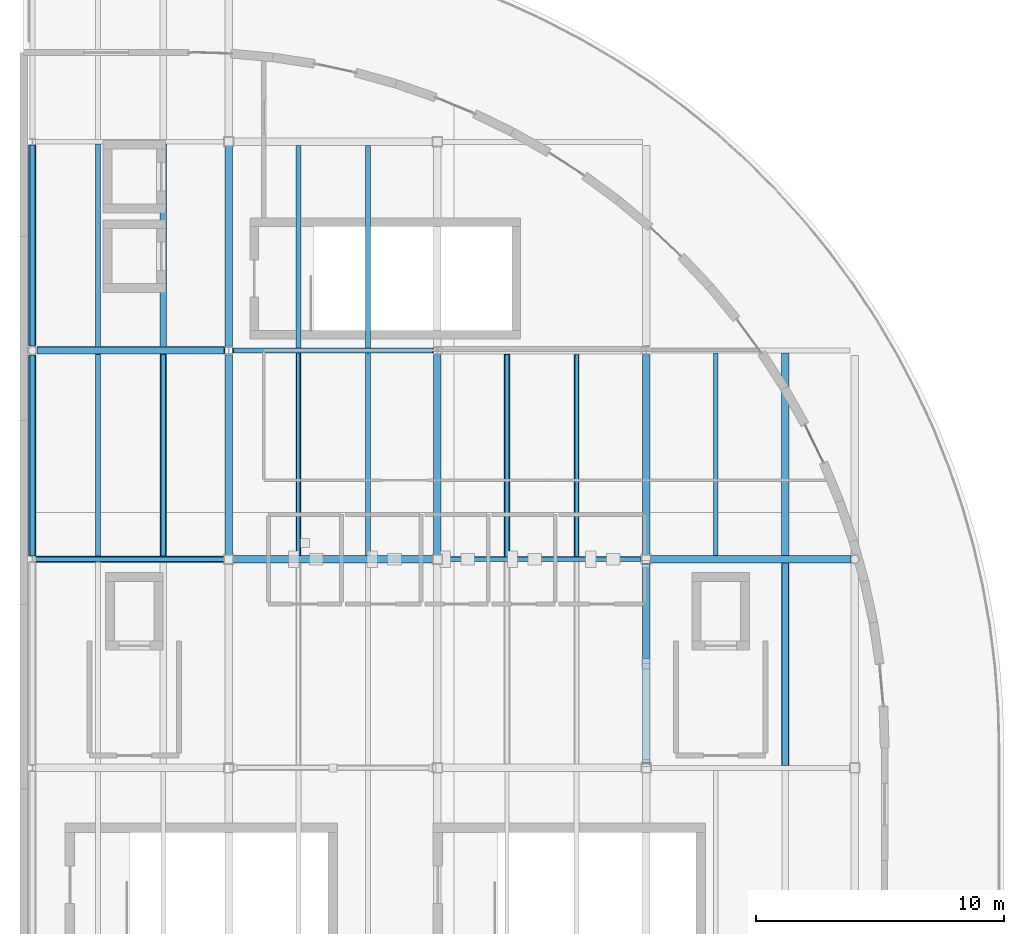
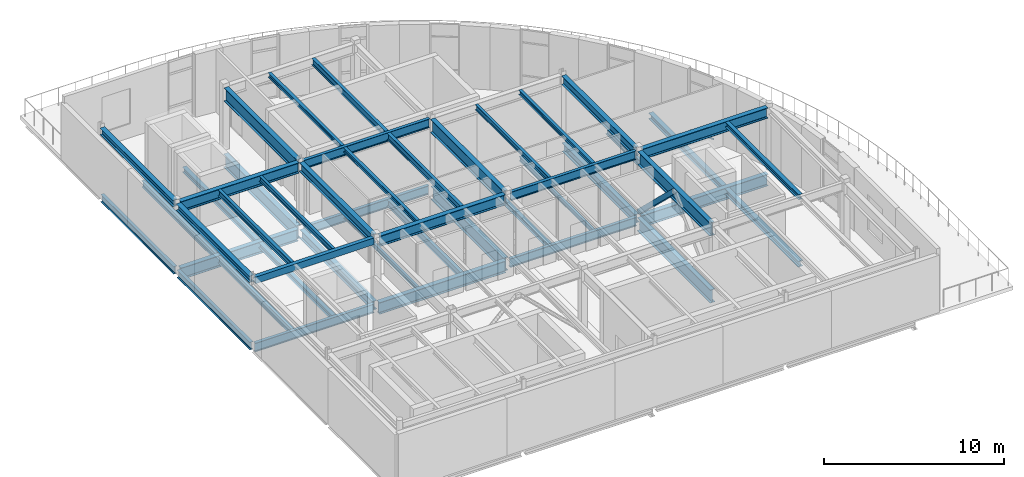
# One storey, part 6 of 26: 46 beams, 2 members, 1 element without a shape of its own.
"""IFC4 building model written with IfcOpenShell, lengths in metres."""

from ifc_helpers import new_model, si_unit, direction, frame, origin, origin_2d, place, context, subcontext, project, spatial, hollow_rectangle, i_section, extrude, material, layer, layer_set, material_profile, profile_set, type_object, element, aggregate, save


model = new_model("IFC4")

# Units and contexts
model_context = context("Model", 3, precision=1e-05, world=origin(), true_north=direction((0.0, 1.0)))
body_context = subcontext(model_context, "Body", "Model", "MODEL_VIEW")
ifc_project = project(units=[si_unit("LENGTHUNIT", "METRE"), si_unit("AREAUNIT", "SQUARE_METRE"), si_unit("VOLUMEUNIT", "CUBIC_METRE"), si_unit("PLANEANGLEUNIT", "RADIAN"), si_unit("MASSUNIT", "GRAM", prefix="KILO"), si_unit("THERMODYNAMICTEMPERATUREUNIT", "KELVIN")], contexts=[model_context])

# Site, building, storey
site_placement = place(None, origin())
site = spatial("IfcSite", under=ifc_project, at=site_placement, CompositionType="ELEMENT")
building_placement = place(site_placement, origin())
building = spatial("IfcBuilding", under=site, at=building_placement, Name="Lustrewick Department Store", CompositionType="ELEMENT")
storey_placement = place(building_placement, frame((0.0, 0.0, 36.300048828125)))
storey = spatial("IfcBuildingStorey", under=building, at=storey_placement, Name="L08", CompositionType="ELEMENT", Elevation=36.300048828125)

# Beams
ifc_material_1 = material(Name="Structural steel Q355B", Category="steel")
ifc_material_profile_1 = material_profile(ifc_material_1, i_section(OverallWidth=0.199951171875, OverallDepth=0.449951171875, WebThickness=0.009033203125, FlangeThickness=0.013916015625, FilletRadius=0.01611328125, at=origin_2d()), Name="HN 450x200x9x14")
ifc_profile_set_1 = profile_set([ifc_material_profile_1], Name="Structural steel Q355B")
beam_type_1 = type_object("IfcBeamType", Name="B03", PredefinedType="JOIST", material=ifc_profile_set_1)
for number, where, z_axis, x_axis, name in (
    (1, (123.199951171875, 67.35009765625, -0.47998046875), (0.0, 1.0, 0.0), (-1.0, 0.0, 0.0), "L08 V4 Secondary Joist B03"),
    (2, (137.199951171875, 67.35009765625, -0.47998046875), (0.0, 1.0, 0.0), (-1.0, 0.0, 0.0), "L08 V4 Secondary Joist B03"),
):
    element("IfcBeam", number, at=place(storey_placement, frame(where, z_axis=z_axis, x_axis=x_axis)), inside=storey, type_object=beam_type_1, Name=name, PredefinedType="JOIST", context=body_context, shape_type="SweptSolid", body=[
        extrude(i_section(OverallWidth=0.199951171875, OverallDepth=0.449951171875, WebThickness=0.009033203125, FlangeThickness=0.013916015625, FilletRadius=0.01611328125, at=origin_2d()), origin(), (0.0, 0.0, 1.0), 8.14990234375),
    ])
ifc_material_profile_2 = material_profile(ifc_material_1, i_section(OverallWidth=0.198974609375, OverallDepth=0.446044921875, WebThickness=0.008056640625, FlangeThickness=0.011962890625, FilletRadius=0.01611328125, at=origin_2d()), Name="HN 446x199x8x12")
ifc_profile_set_2 = profile_set([ifc_material_profile_2], Name="Structural steel Q355B")
beam_type_2 = type_object("IfcBeamType", Name="B04", PredefinedType="JOIST", material=ifc_profile_set_2)
for number, where, z_axis, x_axis, name in (
    (3, (112.333251953125, 67.299560546875, -0.47802734375), (0.0, 1.0, 0.0), (-1.0, 0.0, 0.0), "L08 V4 Secondary Joist B04"),
    (4, (112.333251953125, 75.75, -0.47802734375), (0.0, 1.0, 0.0), (-1.0, 0.0, 0.0), "L08 V4 Secondary Joist B04"),
):
    element("IfcBeam", number, at=place(storey_placement, frame(where, z_axis=z_axis, x_axis=x_axis)), inside=storey, type_object=beam_type_2, Name=name, PredefinedType="JOIST", context=body_context, shape_type="SweptSolid", body=[
        extrude(i_section(OverallWidth=0.198974609375, OverallDepth=0.446044921875, WebThickness=0.008056640625, FlangeThickness=0.011962890625, FilletRadius=0.01611328125, at=origin_2d()), origin(), (0.0, 0.0, 1.0), 8.150390625),
    ])
beam_1_placement = place(storey_placement, frame((123.199951171875, 67.35107421875, 4.02197265625), z_axis=(0.0, 1.0, 0.0), x_axis=(-1.0, 0.0, 0.0)))
element("IfcBeam", 5, at=beam_1_placement, inside=storey, type_object=beam_type_2, Name="L08 V4 Secondary Joist B04", PredefinedType="JOIST", context=body_context, shape_type="SweptSolid", body=[
    extrude(i_section(OverallWidth=0.198974609375, OverallDepth=0.446044921875, WebThickness=0.008056640625, FlangeThickness=0.011962890625, FilletRadius=0.01611328125, at=origin_2d()), origin(), (0.0, 0.0, 1.0), 8.1494140625),
])
beam_2_placement = place(storey_placement, frame((123.199951171875, 75.699462890625, 4.02197265625), z_axis=(0.0, 1.0, 0.0), x_axis=(-1.0, 0.0, 0.0)))
element("IfcBeam", 6, at=beam_2_placement, inside=storey, type_object=beam_type_2, Name="L08 V4 Secondary Joist B04", PredefinedType="JOIST", context=body_context, shape_type="SweptSolid", body=[
    extrude(i_section(OverallWidth=0.198974609375, OverallDepth=0.446044921875, WebThickness=0.008056640625, FlangeThickness=0.011962890625, FilletRadius=0.01611328125, at=origin_2d()), origin(), (0.0, 0.0, 1.0), 8.149658203125),
])
ifc_material_profile_3 = material_profile(ifc_material_1, i_section(OverallWidth=0.199951171875, OverallDepth=0.39990234375, WebThickness=0.008056640625, FlangeThickness=0.012939453125, FilletRadius=0.013916015625, at=origin_2d()), Name="HN 400x200x8x13")
ifc_profile_set_3 = profile_set([ifc_material_profile_3], Name="Structural steel Q355B")
beam_type_3 = type_object("IfcBeamType", Name="B05", PredefinedType="JOIST", material=ifc_profile_set_3)
beam_3_placement = place(storey_placement, frame((112.333251953125, 67.324951171875, 4.044921875), z_axis=(0.0, 1.0, 0.0), x_axis=(-1.0, 0.0, 0.0)))
element("IfcBeam", 7, at=beam_3_placement, inside=storey, type_object=beam_type_3, Name="L08 V4 Secondary Joist B05", PredefinedType="JOIST", context=body_context, shape_type="SweptSolid", body=[
    extrude(i_section(OverallWidth=0.199951171875, OverallDepth=0.39990234375, WebThickness=0.008056640625, FlangeThickness=0.012939453125, FilletRadius=0.013916015625, at=origin_2d()), origin(), (0.0, 0.0, 1.0), 8.1240234375),
])
ifc_material_profile_4 = material_profile(ifc_material_1, i_section(OverallWidth=0.300048828125, OverallDepth=0.389892578125, WebThickness=0.010009765625, FlangeThickness=0.01611328125, FilletRadius=0.01806640625, at=origin_2d()), Name="HM 390x300x10x16")
ifc_profile_set_4 = profile_set([ifc_material_profile_4], Name="Structural steel Q355B")
beam_type_4 = type_object("IfcBeamType", Name="B07", PredefinedType="JOIST", material=ifc_profile_set_4)
beam_4_placement = place(storey_placement, frame((140.0, 58.89990234375, -0.449951171875), z_axis=(0.0, 1.0, 0.0), x_axis=(-1.0, 0.0, 0.0)))
element("IfcBeam", 8, at=beam_4_placement, inside=storey, type_object=beam_type_4, Name="L08 V4 Secondary Joist B07", PredefinedType="JOIST", context=body_context, shape_type="SweptSolid", body=[
    extrude(i_section(OverallWidth=0.300048828125, OverallDepth=0.389892578125, WebThickness=0.010009765625, FlangeThickness=0.01611328125, FilletRadius=0.01806640625, at=origin_2d()), origin(), (0.0, 0.0, 1.0), 8.150146484375),
])
beam_5_placement = place(storey_placement, frame((140.0, 67.35009765625, -0.449951171875), z_axis=(0.0, 1.0, 0.0), x_axis=(-1.0, 0.0, 0.0)))
element("IfcBeam", 9, at=beam_5_placement, inside=storey, type_object=beam_type_4, Name="L08 V4 Secondary Joist B07", PredefinedType="JOIST", context=body_context, shape_type="SweptSolid", body=[
    extrude(i_section(OverallWidth=0.300048828125, OverallDepth=0.389892578125, WebThickness=0.010009765625, FlangeThickness=0.01611328125, FilletRadius=0.01806640625, at=origin_2d()), origin(), (0.0, 0.0, 1.0), 8.14990234375),
])
ifc_material_profile_5 = material_profile(ifc_material_1, i_section(OverallWidth=0.25, OverallDepth=0.340087890625, WebThickness=0.009033203125, FlangeThickness=0.013916015625, FilletRadius=0.01611328125, at=origin_2d()), Name="HM 340x250x9x14")
ifc_profile_set_5 = profile_set([ifc_material_profile_5], Name="Structural steel Q355B")
beam_type_5 = type_object("IfcBeamType", Name="B08", PredefinedType="JOIST", material=ifc_profile_set_5)
beam_6_placement = place(storey_placement, frame((114.966796875, 67.299560546875, -0.425048828125), z_axis=(0.0, 1.0, 0.0), x_axis=(-1.0, 0.0, 0.0)))
element("IfcBeam", 10, at=beam_6_placement, inside=storey, type_object=beam_type_5, Name="L08 V4 Secondary Joist B08", PredefinedType="JOIST", context=body_context, shape_type="SweptSolid", body=[
    extrude(i_section(OverallWidth=0.25, OverallDepth=0.340087890625, WebThickness=0.009033203125, FlangeThickness=0.013916015625, FilletRadius=0.01611328125, at=origin_2d()), origin(), (0.0, 0.0, 1.0), 8.150390625),
])
beam_7_placement = place(storey_placement, frame((128.800048828125, 67.300048828125, -0.425048828125), z_axis=(0.0, 1.0, 0.0), x_axis=(-1.0, 0.0, 0.0)))
element("IfcBeam", 11, at=beam_7_placement, inside=storey, type_object=beam_type_5, Name="L08 V4 Secondary Joist B08", PredefinedType="JOIST", context=body_context, shape_type="SweptSolid", body=[
    extrude(i_section(OverallWidth=0.25, OverallDepth=0.340087890625, WebThickness=0.009033203125, FlangeThickness=0.013916015625, FilletRadius=0.01611328125, at=origin_2d()), origin(), (0.0, 0.0, 1.0), 8.14990234375),
])
beam_8_placement = place(storey_placement, frame((114.966796875, 75.75, -0.425048828125), z_axis=(0.0, 1.0, 0.0), x_axis=(-1.0, 0.0, 0.0)))
element("IfcBeam", 12, at=beam_8_placement, inside=storey, type_object=beam_type_5, Name="L08 V4 Secondary Joist B08", PredefinedType="JOIST", context=body_context, shape_type="SweptSolid", body=[
    extrude(i_section(OverallWidth=0.25, OverallDepth=0.340087890625, WebThickness=0.009033203125, FlangeThickness=0.013916015625, FilletRadius=0.01611328125, at=origin_2d()), origin(), (0.0, 0.0, 1.0), 8.150390625),
])
beam_9_placement = place(storey_placement, frame((140.0, 58.8994140625, 4.074951171875), z_axis=(0.0, 1.0, 0.0), x_axis=(-1.0, 0.0, 0.0)))
element("IfcBeam", 13, at=beam_9_placement, inside=storey, type_object=beam_type_5, Name="L08 V4 Secondary Joist B08", PredefinedType="JOIST", context=body_context, shape_type="SweptSolid", body=[
    extrude(i_section(OverallWidth=0.25, OverallDepth=0.340087890625, WebThickness=0.009033203125, FlangeThickness=0.013916015625, FilletRadius=0.01611328125, at=origin_2d()), origin(), (0.0, 0.0, 1.0), 8.149658203125),
])
ifc_material_profile_6 = material_profile(ifc_material_1, i_section(OverallWidth=0.175048828125, OverallDepth=0.35009765625, WebThickness=0.007080078125, FlangeThickness=0.010986328125, FilletRadius=0.012939453125, at=origin_2d()), Name="HN 350x175x7x11")
ifc_profile_set_6 = profile_set([ifc_material_profile_6], Name="Structural steel Q355B")
beam_type_6 = type_object("IfcBeamType", Name="B09", PredefinedType="JOIST", material=ifc_profile_set_6)
beam_10_placement = place(storey_placement, frame((114.966796875, 67.324951171875, 4.070068359375), z_axis=(0.0, 1.0, 0.0), x_axis=(-1.0, 0.0, 0.0)))
element("IfcBeam", 14, at=beam_10_placement, inside=storey, type_object=beam_type_6, Name="L08 V4 Secondary Joist B09", PredefinedType="JOIST", context=body_context, shape_type="SweptSolid", body=[
    extrude(i_section(OverallWidth=0.175048828125, OverallDepth=0.35009765625, WebThickness=0.007080078125, FlangeThickness=0.010986328125, FilletRadius=0.012939453125, at=origin_2d()), origin(), (0.0, 0.0, 1.0), 8.1240234375),
])
beam_11_placement = place(storey_placement, frame((128.800048828125, 67.299560546875, 4.070068359375), z_axis=(0.0, 1.0, 0.0), x_axis=(-1.0, 0.0, 0.0)))
element("IfcBeam", 15, at=beam_11_placement, inside=storey, type_object=beam_type_6, Name="L08 V4 Secondary Joist B09", PredefinedType="JOIST", context=body_context, shape_type="SweptSolid", body=[
    extrude(i_section(OverallWidth=0.175048828125, OverallDepth=0.35009765625, WebThickness=0.007080078125, FlangeThickness=0.010986328125, FilletRadius=0.012939453125, at=origin_2d()), origin(), (0.0, 0.0, 1.0), 8.1494140625),
])
ifc_material_profile_7 = material_profile(ifc_material_1, i_section(OverallWidth=0.14892578125, OverallDepth=0.298095703125, WebThickness=0.005615234375, FlangeThickness=0.008056640625, FilletRadius=0.011962890625, at=origin_2d()), Name="HN 298x149x5.5x8")
ifc_profile_set_7 = profile_set([ifc_material_profile_7], Name="Structural steel Q355B")
beam_type_7 = type_object("IfcBeamType", Name="B12", PredefinedType="JOIST", material=ifc_profile_set_7)
for number, where, z_axis, x_axis, name in (
    (16, (120.39990234375, 67.35009765625, -0.404052734375), (0.0, 1.0, 0.0), (-1.0, 0.0, 0.0), "L08 V4 Secondary Joist B12"),
    (17, (131.60009765625, 67.300048828125, -0.404052734375), (0.0, 1.0, 0.0), (-1.0, 0.0, 0.0), "L08 V4 Secondary Joist B12"),
):
    element("IfcBeam", number, at=place(storey_placement, frame(where, z_axis=z_axis, x_axis=x_axis)), inside=storey, type_object=beam_type_7, Name=name, PredefinedType="JOIST", context=body_context, shape_type="SweptSolid", body=[
        extrude(i_section(OverallWidth=0.14892578125, OverallDepth=0.298095703125, WebThickness=0.005615234375, FlangeThickness=0.008056640625, FilletRadius=0.011962890625, at=origin_2d()), origin(), (0.0, 0.0, 1.0), 8.14990234375),
    ])
ifc_material_profile_8 = material_profile(ifc_material_1, i_section(OverallWidth=0.199951171875, OverallDepth=0.2939453125, WebThickness=0.008056640625, FlangeThickness=0.011962890625, FilletRadius=0.013916015625, at=origin_2d()), Name="HM 294x200x8x12")
ifc_profile_set_8 = profile_set([ifc_material_profile_8], Name="Structural steel Q355B")
beam_type_8 = type_object("IfcBeamType", Name="B13", PredefinedType="JOIST", material=ifc_profile_set_8)
for number, where, z_axis, x_axis, name in (
    (18, (120.39990234375, 67.35107421875, 4.097900390625), (0.0, 1.0, 0.0), (-1.0, 0.0, 0.0), "L08 V4 Secondary Joist B13"),
    (19, (131.60009765625, 67.299560546875, 4.097900390625), (0.0, 1.0, 0.0), (-1.0, 0.0, 0.0), "L08 V4 Secondary Joist B13"),
):
    element("IfcBeam", number, at=place(storey_placement, frame(where, z_axis=z_axis, x_axis=x_axis)), inside=storey, type_object=beam_type_8, Name=name, PredefinedType="JOIST", context=body_context, shape_type="SweptSolid", body=[
        extrude(i_section(OverallWidth=0.199951171875, OverallDepth=0.2939453125, WebThickness=0.008056640625, FlangeThickness=0.011962890625, FilletRadius=0.013916015625, at=origin_2d()), origin(), (0.0, 0.0, 1.0), 8.1494140625),
    ])
beam_12_placement = place(storey_placement, frame((120.39990234375, 75.699462890625, 4.097900390625), z_axis=(0.0, 1.0, 0.0), x_axis=(-1.0, 0.0, 0.0)))
element("IfcBeam", 20, at=beam_12_placement, inside=storey, type_object=beam_type_8, Name="L08 V4 Secondary Joist B13", PredefinedType="JOIST", context=body_context, shape_type="SweptSolid", body=[
    extrude(i_section(OverallWidth=0.199951171875, OverallDepth=0.2939453125, WebThickness=0.008056640625, FlangeThickness=0.011962890625, FilletRadius=0.013916015625, at=origin_2d()), origin(), (0.0, 0.0, 1.0), 8.149658203125),
])

# Member
ifc_material_2 = material(Name="Structural steel Q355C", Category="steel")
ifc_material_profile_9 = material_profile(ifc_material_2, hollow_rectangle(XDim=0.300048828125, YDim=0.300048828125, WallThickness=0.011962890625, at=origin_2d()), Name="SHS 300x300x12")
ifc_profile_set_9 = profile_set([ifc_material_profile_9], Name="Structural steel Q355C")
member_type_1 = type_object("IfcMemberType", Name="BR06", PredefinedType="BRACE", material=ifc_profile_set_9)
member_1_placement = place(storey_placement, frame((134.39990234375, 67.0, 0.14990234375), z_axis=(0.0, -0.721275425197, 0.692648367505), x_axis=(1.0, 0.0, 0.0)))
element("IfcMember", 21, at=member_1_placement, inside=storey, type_object=member_type_1, Name="L08 V4 Chevron Brace BR06", PredefinedType="BRACE", context=body_context, shape_type="SweptSolid", body=[
    extrude(hollow_rectangle(XDim=0.300048828125, YDim=0.300048828125, WallThickness=0.011962890625, at=origin_2d()), origin(), (0.0, 0.0, 1.0), 5.406982421875),
])

# Curtain wall, member
ifc_material_3 = material(Name="Thermally broken aluminium 6063-T5", Category="aluminium")
ifc_layer = layer(ifc_material_3, 0.139892578125, Name="Thermally broken aluminium 6063-T5")
ifc_layer_set = layer_set([ifc_layer], Name="Thermally broken aluminium 6063-T5")
curtain_wall_type = type_object("IfcCurtainWallType", Name="CW06", PredefinedType="NOTDEFINED", material=ifc_layer_set)
curtain_wall_placement = place(storey_placement, origin())
curtain_wall = element("IfcCurtainWall", 22, at=curtain_wall_placement, inside=storey, type_object=curtain_wall_type, Name="L08 V4 Curtain Wall CW06", PredefinedType="NOTDEFINED")
ifc_material_profile_10 = material_profile(ifc_material_3, hollow_rectangle(XDim=0.054931640625, YDim=0.10009765625, WallThickness=0.0029296875, at=origin_2d()), Name="ALU-T 55x100x3")
ifc_profile_set_10 = profile_set([ifc_material_profile_10], Name="Thermally broken aluminium 6063-T5")
member_type_2 = type_object("IfcMemberType", Name="CW06-T1", PredefinedType="USERDEFINED", material=ifc_profile_set_10)
member_2_placement = place(storey_placement, frame((141.509033203125, 71.14111328125, 0.02734375), z_axis=(-0.437739031594, 0.899102074416, 0.0), x_axis=(-0.899102074416, -0.437739031594, 0.0)))
member_2 = element("IfcMember", 23, at=member_2_placement, type_object=member_type_2, Name="CW06 transom 1.1", ObjectType="TRANSOM", PredefinedType="USERDEFINED", context=body_context, shape_type="SweptSolid", body=[
    extrude(hollow_rectangle(XDim=0.054931640625, YDim=0.10009765625, WallThickness=0.0029296875, at=origin_2d()), origin(), (0.0, 0.0, 1.0), 1.5810546875),
])
aggregate(curtain_wall, [member_2])

# Beams
ifc_material_profile_11 = material_profile(ifc_material_2, i_section(OverallWidth=0.300048828125, OverallDepth=0.89990234375, WebThickness=0.01611328125, FlangeThickness=0.028076171875, FilletRadius=0.02392578125, at=origin_2d()), Name="HN 900x300x16x28")
ifc_profile_set_11 = profile_set([ifc_material_profile_11], Name="Structural steel Q355C")
beam_type_9 = type_object("IfcBeamType", Name="G02", PredefinedType="BEAM", material=ifc_profile_set_11)
for number, where, z_axis, x_axis, name in (
    (24, (117.60009765625, 75.800048828125, -0.705078125), (0.0, 1.0, 0.0), (-1.0, 0.0, 0.0), "L08 V4 Girder G02"),
    (25, (126.0, 67.346923828125, -0.705078125), (0.0, 1.0, 0.0), (-1.0, 0.0, 0.0), "L08 V4 Girder G02"),
):
    element("IfcBeam", number, at=place(storey_placement, frame(where, z_axis=z_axis, x_axis=x_axis)), inside=storey, type_object=beam_type_9, Name=name, PredefinedType="BEAM", context=body_context, shape_type="SweptSolid", body=[
        extrude(i_section(OverallWidth=0.300048828125, OverallDepth=0.89990234375, WebThickness=0.01611328125, FlangeThickness=0.028076171875, FilletRadius=0.02392578125, at=origin_2d()), origin(), (0.0, 0.0, 1.0), 8.052978515625),
    ])
beam_13_placement = place(storey_placement, frame((134.39990234375, 58.947021484375, -0.705078125), z_axis=(0.0, 1.0, 0.0), x_axis=(-1.0, 0.0, 0.0)))
element("IfcBeam", 26, at=beam_13_placement, inside=storey, type_object=beam_type_9, Name="L08 V4 Girder G02", PredefinedType="BEAM", context=body_context, shape_type="SweptSolid", body=[
    extrude(i_section(OverallWidth=0.300048828125, OverallDepth=0.89990234375, WebThickness=0.01611328125, FlangeThickness=0.028076171875, FilletRadius=0.02392578125, at=origin_2d()), origin(), (0.0, 0.0, 1.0), 8.10595703125),
])
ifc_material_profile_12 = material_profile(ifc_material_2, i_section(OverallWidth=0.299072265625, OverallDepth=0.889892578125, WebThickness=0.014892578125, FlangeThickness=0.02294921875, FilletRadius=0.02392578125, at=origin_2d()), Name="HN 890x299x15x23")
ifc_profile_set_12 = profile_set([ifc_material_profile_12], Name="Structural steel Q355C")
beam_type_10 = type_object("IfcBeamType", Name="G03", PredefinedType="BEAM", material=ifc_profile_set_12)
for number, where, z_axis, x_axis, name in (
    (27, (117.60009765625, 75.7470703125, 3.800048828125), (0.0, 1.0, 0.0), (-1.0, 0.0, 0.0), "L08 V4 Girder G03"),
    (28, (126.0, 67.39990234375, 3.800048828125), (0.0, 1.0, 0.0), (-1.0, 0.0, 0.0), "L08 V4 Girder G03"),
):
    element("IfcBeam", number, at=place(storey_placement, frame(where, z_axis=z_axis, x_axis=x_axis)), inside=storey, type_object=beam_type_10, Name=name, PredefinedType="BEAM", context=body_context, shape_type="SweptSolid", body=[
        extrude(i_section(OverallWidth=0.299072265625, OverallDepth=0.889892578125, WebThickness=0.014892578125, FlangeThickness=0.02294921875, FilletRadius=0.02392578125, at=origin_2d()), origin(), (0.0, 0.0, 1.0), 8.052978515625),
    ])
beam_14_placement = place(storey_placement, frame((134.39990234375, 59.0, 3.800048828125), z_axis=(0.0, 1.0, 0.0), x_axis=(-1.0, 0.0, 0.0)))
element("IfcBeam", 29, at=beam_14_placement, inside=storey, type_object=beam_type_10, Name="L08 V4 Girder G03", PredefinedType="BEAM", context=body_context, shape_type="SweptSolid", body=[
    extrude(i_section(OverallWidth=0.299072265625, OverallDepth=0.889892578125, WebThickness=0.014892578125, FlangeThickness=0.02294921875, FilletRadius=0.02392578125, at=origin_2d()), origin(), (0.0, 0.0, 1.0), 8.0),
])
ifc_material_profile_13 = material_profile(ifc_material_1, i_section(OverallWidth=0.300048828125, OverallDepth=0.7919921875, WebThickness=0.013916015625, FlangeThickness=0.02197265625, FilletRadius=0.02197265625, at=origin_2d()), Name="HN 792x300x14x22")
ifc_profile_set_13 = profile_set([ifc_material_profile_13], Name="Structural steel Q355B")
beam_type_11 = type_object("IfcBeamType", Name="G06", PredefinedType="BEAM", material=ifc_profile_set_13)
beam_15_placement = place(storey_placement, frame((117.7509765625, 67.199951171875, -0.651123046875), z_axis=(1.0, 0.0, 0.0), x_axis=(0.0, 1.0, 0.0)))
element("IfcBeam", 30, at=beam_15_placement, inside=storey, type_object=beam_type_11, Name="L08 V4 Girder G06", PredefinedType="BEAM", context=body_context, shape_type="SweptSolid", body=[
    extrude(i_section(OverallWidth=0.300048828125, OverallDepth=0.7919921875, WebThickness=0.013916015625, FlangeThickness=0.02197265625, FilletRadius=0.02197265625, at=origin_2d()), origin(), (0.0, 0.0, 1.0), 8.09814453125),
])
beam_16_placement = place(storey_placement, frame((134.551025390625, 67.199951171875, -0.651123046875), z_axis=(1.0, 0.0, 0.0), x_axis=(0.0, 1.0, 0.0)))
element("IfcBeam", 31, at=beam_16_placement, inside=storey, type_object=beam_type_11, Name="L08 V4 Girder G06", PredefinedType="BEAM", context=body_context, shape_type="SweptSolid", body=[
    extrude(i_section(OverallWidth=0.300048828125, OverallDepth=0.7919921875, WebThickness=0.013916015625, FlangeThickness=0.02197265625, FilletRadius=0.02197265625, at=origin_2d()), origin(), (0.0, 0.0, 1.0), 8.097900390625),
])
beam_17_placement = place(storey_placement, frame((109.8779296875, 75.60009765625, -0.651123046875), z_axis=(1.0, 0.0, 0.0), x_axis=(0.0, 1.0, 0.0)))
element("IfcBeam", 32, at=beam_17_placement, inside=storey, type_object=beam_type_11, Name="L08 V4 Girder G06", PredefinedType="BEAM", context=body_context, shape_type="SweptSolid", body=[
    extrude(i_section(OverallWidth=0.300048828125, OverallDepth=0.7919921875, WebThickness=0.013916015625, FlangeThickness=0.02197265625, FilletRadius=0.02197265625, at=origin_2d()), origin(), (0.0, 0.0, 1.0), 7.52197265625),
])
ifc_material_profile_14 = material_profile(ifc_material_2, i_section(OverallWidth=0.302001953125, OverallDepth=0.7080078125, WebThickness=0.014892578125, FlangeThickness=0.028076171875, FilletRadius=0.02001953125, at=origin_2d()), Name="HN 708x302x15x28")
ifc_profile_set_14 = profile_set([ifc_material_profile_14], Name="Structural steel Q355C")
beam_type_12 = type_object("IfcBeamType", Name="G07", PredefinedType="BEAM", material=ifc_profile_set_14)
beam_18_placement = place(storey_placement, frame((117.800048828125, 67.199951171875, 3.890869140625), z_axis=(1.0, 0.0, 0.0), x_axis=(0.0, 1.0, 0.0)))
element("IfcBeam", 33, at=beam_18_placement, inside=storey, type_object=beam_type_12, Name="L08 V4 Girder G07", PredefinedType="BEAM", context=body_context, shape_type="SweptSolid", body=[
    extrude(i_section(OverallWidth=0.302001953125, OverallDepth=0.7080078125, WebThickness=0.014892578125, FlangeThickness=0.028076171875, FilletRadius=0.02001953125, at=origin_2d()), origin(), (0.0, 0.0, 1.0), 8.0),
])
beam_19_placement = place(storey_placement, frame((134.60009765625, 67.199951171875, 3.890869140625), z_axis=(1.0, 0.0, 0.0), x_axis=(0.0, 1.0, 0.0)))
element("IfcBeam", 34, at=beam_19_placement, inside=storey, type_object=beam_type_12, Name="L08 V4 Girder G07", PredefinedType="BEAM", context=body_context, shape_type="SweptSolid", body=[
    extrude(i_section(OverallWidth=0.302001953125, OverallDepth=0.7080078125, WebThickness=0.014892578125, FlangeThickness=0.028076171875, FilletRadius=0.02001953125, at=origin_2d()), origin(), (0.0, 0.0, 1.0), 8.02197265625),
])
beam_20_placement = place(storey_placement, frame((109.8779296875, 75.60009765625, 3.890869140625), z_axis=(1.0, 0.0, 0.0), x_axis=(0.0, 1.0, 0.0)))
element("IfcBeam", 35, at=beam_20_placement, inside=storey, type_object=beam_type_12, Name="L08 V4 Girder G07", PredefinedType="BEAM", context=body_context, shape_type="SweptSolid", body=[
    extrude(i_section(OverallWidth=0.302001953125, OverallDepth=0.7080078125, WebThickness=0.014892578125, FlangeThickness=0.028076171875, FilletRadius=0.02001953125, at=origin_2d()), origin(), (0.0, 0.0, 1.0), 7.571044921875),
])
ifc_material_profile_15 = material_profile(ifc_material_1, i_section(OverallWidth=0.300048828125, OverallDepth=0.587890625, WebThickness=0.011962890625, FlangeThickness=0.02001953125, FilletRadius=0.02392578125, at=origin_2d()), Name="HM 588x300x12x20")
ifc_profile_set_15 = profile_set([ifc_material_profile_15], Name="Structural steel Q355B")
beam_type_13 = type_object("IfcBeamType", Name="G11", PredefinedType="BEAM", material=ifc_profile_set_15)
for number, where, z_axis, x_axis, name in (
    (36, (117.60009765625, 67.346923828125, -0.549072265625), (0.0, 1.0, 0.0), (-1.0, 0.0, 0.0), "L08 V4 Girder G11"),
    (37, (134.39990234375, 67.346923828125, -0.549072265625), (0.0, 1.0, 0.0), (-1.0, 0.0, 0.0), "L08 V4 Girder G11"),
):
    element("IfcBeam", number, at=place(storey_placement, frame(where, z_axis=z_axis, x_axis=x_axis)), inside=storey, type_object=beam_type_13, Name=name, PredefinedType="BEAM", context=body_context, shape_type="SweptSolid", body=[
        extrude(i_section(OverallWidth=0.300048828125, OverallDepth=0.587890625, WebThickness=0.011962890625, FlangeThickness=0.02001953125, FilletRadius=0.02392578125, at=origin_2d()), origin(), (0.0, 0.0, 1.0), 8.052978515625),
    ])
ifc_material_profile_16 = material_profile(ifc_material_1, i_section(OverallWidth=0.300048828125, OverallDepth=0.58203125, WebThickness=0.011962890625, FlangeThickness=0.01708984375, FilletRadius=0.02392578125, at=origin_2d()), Name="HM 582x300x12x17")
ifc_profile_set_16 = profile_set([ifc_material_profile_16], Name="Structural steel Q355B")
beam_type_14 = type_object("IfcBeamType", Name="G12", PredefinedType="BEAM", material=ifc_profile_set_16)
for number, where, z_axis, x_axis, name in (
    (38, (117.60009765625, 67.39990234375, 3.953857421875), (0.0, 1.0, 0.0), (-1.0, 0.0, 0.0), "L08 V4 Girder G12"),
    (39, (134.39990234375, 67.39990234375, 3.953857421875), (0.0, 1.0, 0.0), (-1.0, 0.0, 0.0), "L08 V4 Girder G12"),
):
    element("IfcBeam", number, at=place(storey_placement, frame(where, z_axis=z_axis, x_axis=x_axis)), inside=storey, type_object=beam_type_14, Name=name, PredefinedType="BEAM", context=body_context, shape_type="SweptSolid", body=[
        extrude(i_section(OverallWidth=0.300048828125, OverallDepth=0.58203125, WebThickness=0.011962890625, FlangeThickness=0.01708984375, FilletRadius=0.02392578125, at=origin_2d()), origin(), (0.0, 0.0, 1.0), 8.052978515625),
    ])
ifc_material_profile_17 = material_profile(ifc_material_1, i_section(OverallWidth=0.199951171875, OverallDepth=0.60009765625, WebThickness=0.010986328125, FlangeThickness=0.01708984375, FilletRadius=0.01806640625, at=origin_2d()), Name="HN 600x200x11x17")
ifc_profile_set_17 = profile_set([ifc_material_profile_17], Name="Structural steel Q355B")
beam_type_15 = type_object("IfcBeamType", Name="G14", PredefinedType="BEAM", material=ifc_profile_set_17)
beam_21_placement = place(storey_placement, frame((126.15087890625, 67.199951171875, -0.554931640625), z_axis=(1.0, 0.0, 0.0), x_axis=(0.0, 1.0, 0.0)))
element("IfcBeam", 40, at=beam_21_placement, inside=storey, type_object=beam_type_15, Name="L08 V4 Girder G14", PredefinedType="BEAM", context=body_context, shape_type="SweptSolid", body=[
    extrude(i_section(OverallWidth=0.199951171875, OverallDepth=0.60009765625, WebThickness=0.010986328125, FlangeThickness=0.01708984375, FilletRadius=0.01806640625, at=origin_2d()), origin(), (0.0, 0.0, 1.0), 8.09814453125),
])
beam_22_placement = place(storey_placement, frame((117.800048828125, 75.60009765625, -0.554931640625), z_axis=(1.0, 0.0, 0.0), x_axis=(0.0, 1.0, 0.0)))
element("IfcBeam", 41, at=beam_22_placement, inside=storey, type_object=beam_type_15, Name="L08 V4 Girder G14", PredefinedType="BEAM", context=body_context, shape_type="SweptSolid", body=[
    extrude(i_section(OverallWidth=0.199951171875, OverallDepth=0.60009765625, WebThickness=0.010986328125, FlangeThickness=0.01708984375, FilletRadius=0.01806640625, at=origin_2d()), origin(), (0.0, 0.0, 1.0), 8.0),
])
ifc_material_profile_18 = material_profile(ifc_material_1, i_section(OverallWidth=0.198974609375, OverallDepth=0.595947265625, WebThickness=0.010009765625, FlangeThickness=0.014892578125, FilletRadius=0.01806640625, at=origin_2d()), Name="HN 596x199x10x15")
ifc_profile_set_18 = profile_set([ifc_material_profile_18], Name="Structural steel Q355B")
beam_type_16 = type_object("IfcBeamType", Name="G15", PredefinedType="BEAM", material=ifc_profile_set_18)
beam_23_placement = place(storey_placement, frame((109.824951171875, 67.199951171875, -0.552978515625), z_axis=(1.0, 0.0, 0.0), x_axis=(0.0, 1.0, 0.0)))
element("IfcBeam", 42, at=beam_23_placement, inside=storey, type_object=beam_type_16, Name="L08 V4 Girder G15", PredefinedType="BEAM", context=body_context, shape_type="SweptSolid", body=[
    extrude(i_section(OverallWidth=0.198974609375, OverallDepth=0.595947265625, WebThickness=0.010009765625, FlangeThickness=0.014892578125, FilletRadius=0.01806640625, at=origin_2d()), origin(), (0.0, 0.0, 1.0), 7.6240234375),
])
beam_24_placement = place(storey_placement, frame((126.199951171875, 67.199951171875, 3.947021484375), z_axis=(1.0, 0.0, 0.0), x_axis=(0.0, 1.0, 0.0)))
element("IfcBeam", 43, at=beam_24_placement, inside=storey, type_object=beam_type_16, Name="L08 V4 Girder G15", PredefinedType="BEAM", context=body_context, shape_type="SweptSolid", body=[
    extrude(i_section(OverallWidth=0.198974609375, OverallDepth=0.595947265625, WebThickness=0.010009765625, FlangeThickness=0.014892578125, FilletRadius=0.01806640625, at=origin_2d()), origin(), (0.0, 0.0, 1.0), 8.0),
])
beam_25_placement = place(storey_placement, frame((117.7509765625, 75.60009765625, 3.947021484375), z_axis=(1.0, 0.0, 0.0), x_axis=(0.0, 1.0, 0.0)))
element("IfcBeam", 44, at=beam_25_placement, inside=storey, type_object=beam_type_16, Name="L08 V4 Girder G15", PredefinedType="BEAM", context=body_context, shape_type="SweptSolid", body=[
    extrude(i_section(OverallWidth=0.198974609375, OverallDepth=0.595947265625, WebThickness=0.010009765625, FlangeThickness=0.014892578125, FilletRadius=0.01806640625, at=origin_2d()), origin(), (0.0, 0.0, 1.0), 8.09814453125),
])
ifc_material_profile_19 = material_profile(ifc_material_2, hollow_rectangle(XDim=0.25, YDim=0.449951171875, WallThickness=0.013916015625, at=origin_2d()), Name="RHS 450x250x14")
ifc_profile_set_19 = profile_set([ifc_material_profile_19], Name="Structural steel Q355C")
beam_type_17 = type_object("IfcBeamType", Name="G18", PredefinedType="BEAM", material=ifc_profile_set_19)
beam_26_placement = place(storey_placement, frame((109.824951171875, 67.199951171875, 4.02001953125), z_axis=(1.0, 0.0, 0.0), x_axis=(0.0, 1.0, 0.0)))
element("IfcBeam", 45, at=beam_26_placement, inside=storey, type_object=beam_type_17, Name="L08 V4 Girder G18", PredefinedType="BEAM", context=body_context, shape_type="SweptSolid", body=[
    extrude(hollow_rectangle(XDim=0.25, YDim=0.449951171875, WallThickness=0.013916015625, at=origin_2d()), origin(), (0.0, 0.0, 1.0), 7.574951171875),
])
ifc_material_profile_20 = material_profile(ifc_material_1, i_section(OverallWidth=0.200927734375, OverallDepth=0.506103515625, WebThickness=0.010986328125, FlangeThickness=0.01904296875, FilletRadius=0.01611328125, at=origin_2d()), Name="HN 506x201x11x19")
ifc_profile_set_20 = profile_set([ifc_material_profile_20], Name="Structural steel Q355B")
beam_type_18 = type_object("IfcBeamType", Name="SP01", PredefinedType="SPANDREL", material=ifc_profile_set_20)
beam_27_placement = place(storey_placement, frame((109.699951171875, 67.324951171875, -0.508056640625), z_axis=(0.0, 1.0, 0.0), x_axis=(-1.0, 0.0, 0.0)))
element("IfcBeam", 46, at=beam_27_placement, inside=storey, type_object=beam_type_18, Name="L08 V4 Girder SP01", PredefinedType="SPANDREL", context=body_context, shape_type="SweptSolid", body=[
    extrude(i_section(OverallWidth=0.200927734375, OverallDepth=0.506103515625, WebThickness=0.010986328125, FlangeThickness=0.01904296875, FilletRadius=0.01611328125, at=origin_2d()), origin(), (0.0, 0.0, 1.0), 8.09716796875),
])
beam_28_placement = place(storey_placement, frame((109.699951171875, 75.778076171875, -0.508056640625), z_axis=(0.0, 1.0, 0.0), x_axis=(-1.0, 0.0, 0.0)))
element("IfcBeam", 47, at=beam_28_placement, inside=storey, type_object=beam_type_18, Name="L08 V4 Girder SP01", PredefinedType="SPANDREL", context=body_context, shape_type="SweptSolid", body=[
    extrude(i_section(OverallWidth=0.200927734375, OverallDepth=0.506103515625, WebThickness=0.010986328125, FlangeThickness=0.01904296875, FilletRadius=0.01611328125, at=origin_2d()), origin(), (0.0, 0.0, 1.0), 8.096923828125),
])
ifc_material_profile_21 = material_profile(ifc_material_1, i_section(OverallWidth=0.300048828125, OverallDepth=0.43994140625, WebThickness=0.010986328125, FlangeThickness=0.01806640625, FilletRadius=0.02001953125, at=origin_2d()), Name="HM 440x300x11x18")
ifc_profile_set_21 = profile_set([ifc_material_profile_21], Name="Structural steel Q355B")
beam_type_19 = type_object("IfcBeamType", Name="SP02", PredefinedType="SPANDREL", material=ifc_profile_set_21)
beam_29_placement = place(storey_placement, frame((109.699951171875, 67.324951171875, 4.02490234375), z_axis=(0.0, 1.0, 0.0), x_axis=(-1.0, 0.0, 0.0)))
element("IfcBeam", 48, at=beam_29_placement, inside=storey, type_object=beam_type_19, Name="L08 V4 Girder SP02", PredefinedType="SPANDREL", context=body_context, shape_type="SweptSolid", body=[
    extrude(i_section(OverallWidth=0.300048828125, OverallDepth=0.43994140625, WebThickness=0.010986328125, FlangeThickness=0.01806640625, FilletRadius=0.02001953125, at=origin_2d()), origin(), (0.0, 0.0, 1.0), 8.09716796875),
])
beam_30_placement = place(storey_placement, frame((109.699951171875, 75.778076171875, 4.02490234375), z_axis=(0.0, 1.0, 0.0), x_axis=(-1.0, 0.0, 0.0)))
element("IfcBeam", 49, at=beam_30_placement, inside=storey, type_object=beam_type_19, Name="L08 V4 Girder SP02", PredefinedType="SPANDREL", context=body_context, shape_type="SweptSolid", body=[
    extrude(i_section(OverallWidth=0.300048828125, OverallDepth=0.43994140625, WebThickness=0.010986328125, FlangeThickness=0.01806640625, FilletRadius=0.02001953125, at=origin_2d()), origin(), (0.0, 0.0, 1.0), 8.096923828125),
])

save(model, "model.ifc")
